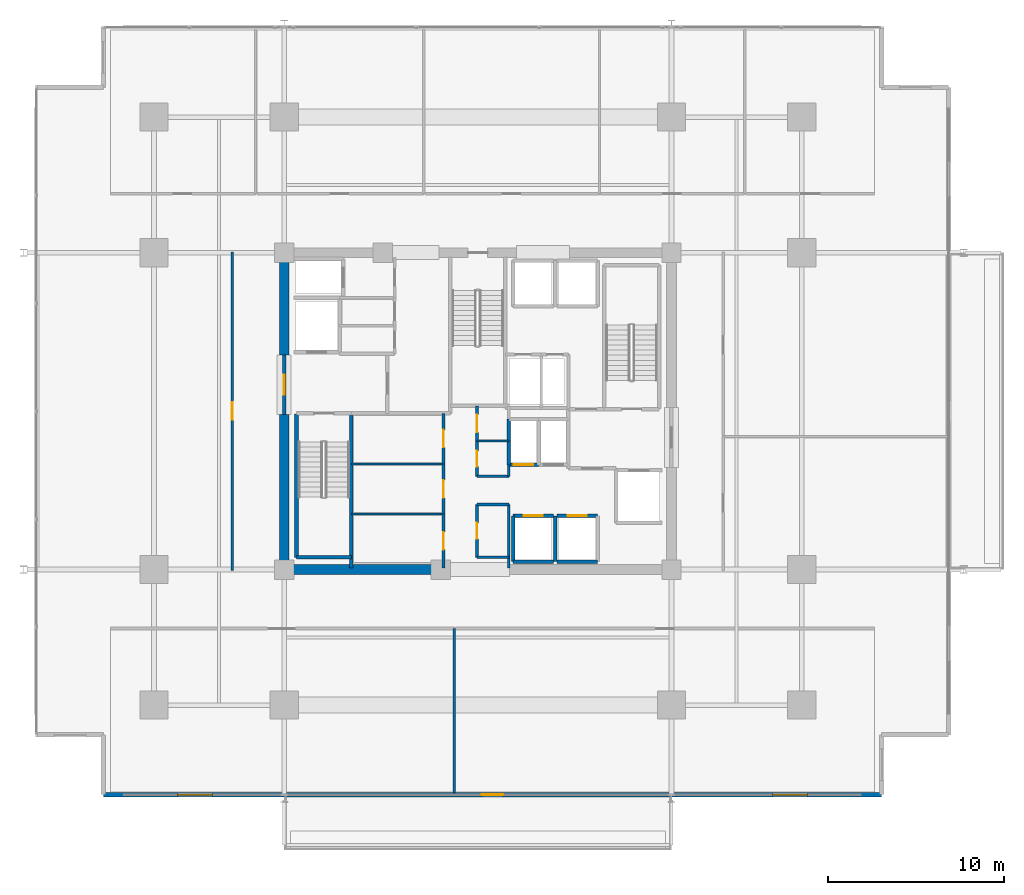
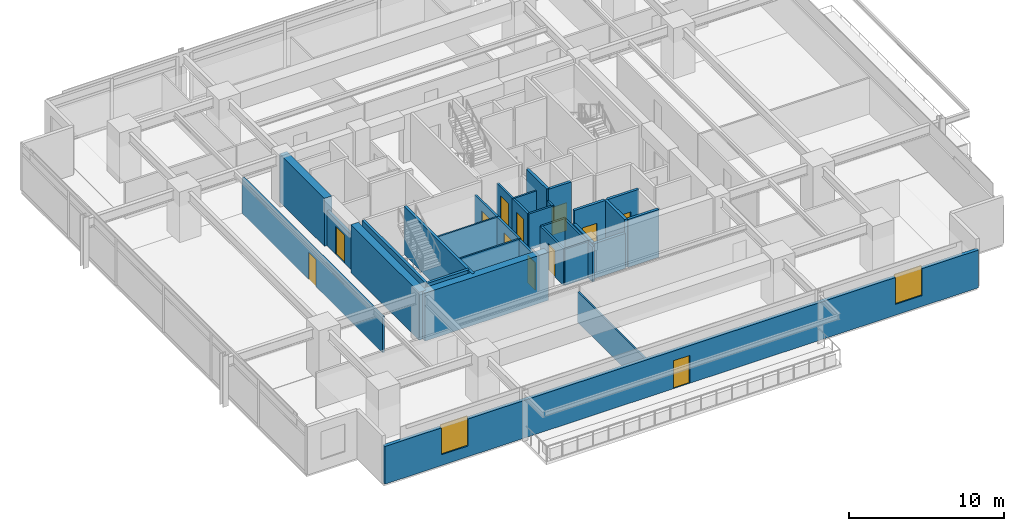
# One storey, part 13 of 21: 32 walls, 12 doors, 2 windows, 14 openings.
"""IFC4 building model written with IfcOpenShell, lengths in metres."""

from ifc_helpers import new_model, si_unit, direction, frame, frame_2d, origin, place, context, subcontext, project, spatial, rectangle, extrude, material, layer, layer_set, type_object, element, fill, save


model = new_model("IFC4")

# Units and contexts
model_context = context("Model", 3, precision=1e-05, world=origin(), true_north=direction((0.0, 1.0)))
body_context = subcontext(model_context, "Body", "Model", "MODEL_VIEW")
ifc_project = project(units=[si_unit("LENGTHUNIT", "METRE"), si_unit("AREAUNIT", "SQUARE_METRE"), si_unit("VOLUMEUNIT", "CUBIC_METRE"), si_unit("PLANEANGLEUNIT", "RADIAN"), si_unit("MASSUNIT", "GRAM", prefix="KILO")], contexts=[model_context])

# Site, building, storey
site_placement = place(None, origin())
site = spatial("IfcSite", under=ifc_project, at=site_placement, CompositionType="ELEMENT")
building_placement = place(site_placement, origin())
building = spatial("IfcBuilding", under=site, at=building_placement, Name="Kovane Verandah Tower", CompositionType="ELEMENT")
storey_placement = place(building_placement, frame((0.0, 0.0, 172.39990234375)))
storey = spatial("IfcBuildingStorey", under=building, at=storey_placement, Name="L40", CompositionType="ELEMENT", Elevation=172.39990234375)

# Walls
ifc_material_1 = material(Name="Fire-Rated Gypsum Stud Partition", Category="gypsum")
ifc_layer_1 = layer(ifc_material_1, 0.14990234375)
ifc_layer_set_1 = layer_set([ifc_layer_1], Name="Fire-Rated Gypsum Stud Partition")
wall_type_1 = type_object("IfcWallType", Name="WL-COR-150", PredefinedType="PARTITIONING", material=ifc_layer_set_1)
for number, where, z_axis, x_axis, name in (
    (1, (39.949951171875, 19.199951171875, 0.0), (0.0, 0.0, 1.0), (1.0, 0.0, 0.0), "L40 Central Core Strip South Wall"),
    (2, (39.949951171875, 22.199951171875, 0.0), (0.0, 0.0, 1.0), (1.0, 0.0, 0.0), "L40 Core Cross-Passage South Wall"),
    (3, (39.949951171875, 23.800048828125, 0.0), (0.0, 0.0, 1.0), (1.0, 0.0, 0.0), "L40 Core Cross-Passage North Wall"),
):
    element("IfcWall", number, at=place(storey_placement, frame(where, z_axis=z_axis, x_axis=x_axis)), inside=storey, type_object=wall_type_1, Name=name, PredefinedType="PARTITIONING", context=body_context, shape_type="SweptSolid", body=[
        extrude(rectangle(XDim=1.81005859375, YDim=0.14990234375, at=frame_2d((0.905029296875, 0.0))), origin(), (0.0, 0.0, 1.0), 2.85009765625),
    ])
wall_1_placement = place(storey_placement, frame((41.760009765625, 18.60009765625, 0.0), z_axis=(0.0, 0.0, 1.0), x_axis=(0.0, 1.0, 0.0)))
element("IfcWall", 4, at=wall_1_placement, inside=storey, type_object=wall_type_1, Name="L40 Central Core Strip Lower East Wall", PredefinedType="PARTITIONING", context=body_context, shape_type="SweptSolid", body=[
    extrude(rectangle(XDim=3.599853515625, YDim=0.14990234375, at=frame_2d((1.7998046875, 0.0))), origin(), (0.0, 0.0, 1.0), 2.755126953125),
])
wall_2_placement = place(storey_placement, frame((41.760009765625, 23.800048828125, 0.0), z_axis=(0.0, 0.0, 1.0), x_axis=(0.0, 1.0, 0.0)))
element("IfcWall", 5, at=wall_2_placement, inside=storey, type_object=wall_type_1, Name="L40 Central Core Strip Middle East Wall", PredefinedType="PARTITIONING", context=body_context, shape_type="SweptSolid", body=[
    extrude(rectangle(XDim=0.64990234375, YDim=0.14990234375, at=frame_2d((0.324951171875, 0.0))), origin(), (0.0, 0.0, 1.0), 2.85009765625),
])

# Wall, opening, door
wall_3_placement = place(storey_placement, frame((39.949951171875, 19.199951171875, 0.0), z_axis=(0.0, 0.0, 1.0), x_axis=(0.0, 1.0, 0.0)))
wall_3 = element("IfcWall", 6, at=wall_3_placement, inside=storey, type_object=wall_type_1, Name="L40 Male Toilet Partition", PredefinedType="PARTITIONING", context=body_context, shape_type="SweptSolid", body=[
    extrude(rectangle(XDim=3.0, YDim=0.14990234375, at=frame_2d((1.5, 0.0))), origin(), (0.0, 0.0, 1.0), 2.85009765625),
])
opening_1_placement = place(wall_3_placement, frame((1.050048828125, 0.0, 0.0)))
opening_1 = element("IfcOpeningElement", 7, at=opening_1_placement, cuts=wall_3, Name="Opening DR-L40-030", PredefinedType="OPENING", context=body_context, shape_type="SweptSolid", body=[
    extrude(rectangle(XDim=0.89990234375, YDim=2.10009765625, at=frame_2d((0.449951171875, 1.050048828125))), frame((0.0, 0.074951171875, 0.0), z_axis=(0.0, -1.0, 0.0), x_axis=(1.0, 0.0, 0.0)), (0.0, 0.0, 1.0), 0.14990234375),
])
ifc_material_2 = material(Name="Moisture-Resistant Laminate Washroom Door", Category="wood")
door_type_1 = type_object("IfcDoorType", Name="DR-WC-900", OperationType="SINGLE_SWING_LEFT", PredefinedType="DOOR", material=ifc_material_2)
door_1_placement = place(opening_1_placement, origin())
door_1 = element("IfcDoor", 8, at=door_1_placement, inside=storey, type_object=door_type_1, Name="L40 Male Toilet Door", OperationType="SINGLE_SWING_RIGHT", OverallHeight=2.10009765625, OverallWidth=0.89990234375, PredefinedType="DOOR", context=body_context, shape_type="SweptSolid", body=[
    extrude(rectangle(XDim=0.89990234375, YDim=2.10009765625, at=frame_2d((0.449951171875, 1.050048828125))), frame((0.0, 0.02490234375, 0.0), z_axis=(0.0, -1.0, 0.0), x_axis=(1.0, 0.0, 0.0)), (0.0, 0.0, 1.0), 0.050048828125),
])
fill(opening_1, door_1)

wall_4_placement = place(storey_placement, frame((39.949951171875, 23.800048828125, 0.0), z_axis=(0.0, 0.0, 1.0), x_axis=(0.0, 1.0, 0.0)))
wall_4 = element("IfcWall", 9, at=wall_4_placement, inside=storey, type_object=wall_type_1, Name="L40 Female Toilet Partition", PredefinedType="PARTITIONING", context=body_context, shape_type="SweptSolid", body=[
    extrude(rectangle(XDim=2.0, YDim=0.14990234375, at=frame_2d((1.0, 0.0))), origin(), (0.0, 0.0, 1.0), 2.85009765625),
])
opening_2_placement = place(wall_4_placement, frame((0.550048828125, 0.0, 0.0)))
opening_2 = element("IfcOpeningElement", 10, at=opening_2_placement, cuts=wall_4, Name="Opening DR-L40-029", PredefinedType="OPENING", context=body_context, shape_type="SweptSolid", body=[
    extrude(rectangle(XDim=0.89990234375, YDim=2.10009765625, at=frame_2d((0.449951171875, 1.050048828125))), frame((0.0, 0.074951171875, 0.0), z_axis=(0.0, -1.0, 0.0), x_axis=(1.0, 0.0, 0.0)), (0.0, 0.0, 1.0), 0.14990234375),
])
door_2_placement = place(opening_2_placement, origin())
door_2 = element("IfcDoor", 11, at=door_2_placement, inside=storey, type_object=door_type_1, Name="L40 Female Toilet Door", OperationType="SINGLE_SWING_LEFT", OverallHeight=2.10009765625, OverallWidth=0.89990234375, PredefinedType="DOOR", context=body_context, shape_type="SweptSolid", body=[
    extrude(rectangle(XDim=0.89990234375, YDim=2.10009765625, at=frame_2d((0.449951171875, 1.050048828125))), frame((0.0, 0.02490234375, 0.0), z_axis=(0.0, -1.0, 0.0), x_axis=(1.0, 0.0, 0.0)), (0.0, 0.0, 1.0), 0.050048828125),
])
fill(opening_2, door_2)

wall_5_placement = place(storey_placement, frame((39.949951171875, 25.800048828125, 0.0), z_axis=(0.0, 0.0, 1.0), x_axis=(0.0, 1.0, 0.0)))
wall_5 = element("IfcWall", 12, at=wall_5_placement, inside=storey, type_object=wall_type_1, Name="L40 Central First Aid and Wellness Room Partition", PredefinedType="PARTITIONING", context=body_context, shape_type="SweptSolid", body=[
    extrude(rectangle(XDim=2.0, YDim=0.14990234375, at=frame_2d((1.0, 0.0))), origin(), (0.0, 0.0, 1.0), 2.85009765625),
])
opening_3_placement = place(wall_5_placement, frame((0.5, 0.0, 0.0)))
opening_3 = element("IfcOpeningElement", 13, at=opening_3_placement, cuts=wall_5, Name="Opening DR-L40-027", PredefinedType="OPENING", context=body_context, shape_type="SweptSolid", body=[
    extrude(rectangle(XDim=1.0, YDim=2.14990234375, at=frame_2d((0.5, 1.074951171875))), frame((0.0, 0.074951171875, 0.0), z_axis=(0.0, -1.0, 0.0), x_axis=(1.0, 0.0, 0.0)), (0.0, 0.0, 1.0), 0.14990234375),
])
ifc_material_3 = material(Name="FSC Spotted-Gum Timber Fire-Rated Office Door", Category="wood")
door_type_2 = type_object("IfcDoorType", Name="DR-OFF-1000", OperationType="SINGLE_SWING_LEFT", PredefinedType="DOOR", material=ifc_material_3)
door_3_placement = place(opening_3_placement, origin())
door_3 = element("IfcDoor", 14, at=door_3_placement, inside=storey, type_object=door_type_2, Name="L40 Central First Aid and Wellness Room Door", OperationType="SINGLE_SWING_RIGHT", OverallHeight=2.14990234375, OverallWidth=1.0, PredefinedType="DOOR", context=body_context, shape_type="SweptSolid", body=[
    extrude(rectangle(XDim=1.0, YDim=2.14990234375, at=frame_2d((0.5, 1.074951171875))), frame((0.0, 0.02490234375, 0.0), z_axis=(0.0, -1.0, 0.0), x_axis=(1.0, 0.0, 0.0)), (0.0, 0.0, 1.0), 0.050048828125),
])
fill(opening_3, door_3)

wall_6_placement = place(storey_placement, frame((38.050048828125, 18.60009765625, 0.0), z_axis=(0.0, 0.0, 1.0), x_axis=(0.0, 1.0, 0.0)))
wall_6 = element("IfcWall", 15, at=wall_6_placement, inside=storey, type_object=wall_type_1, Name="L40 Project Archive Room Partition", PredefinedType="PARTITIONING", context=body_context, shape_type="SweptSolid", body=[
    extrude(rectangle(XDim=3.059814453125, YDim=0.14990234375, at=frame_2d((1.52978515625, 0.0))), origin(), (0.0, 0.0, 1.0), 2.755126953125),
])
opening_4_placement = place(wall_6_placement, frame((1.030029296875, 0.0, 0.0)))
opening_4 = element("IfcOpeningElement", 16, at=opening_4_placement, cuts=wall_6, Name="Opening DR-L40-015", PredefinedType="OPENING", context=body_context, shape_type="SweptSolid", body=[
    extrude(rectangle(XDim=1.0, YDim=2.14990234375, at=frame_2d((0.5, 1.074951171875))), frame((0.0, 0.074951171875, 0.0), z_axis=(0.0, -1.0, 0.0), x_axis=(1.0, 0.0, 0.0)), (0.0, 0.0, 1.0), 0.14990234375),
])
door_4_placement = place(opening_4_placement, origin())
door_4 = element("IfcDoor", 17, at=door_4_placement, inside=storey, type_object=door_type_2, Name="L40 Project Archive Room Door", OperationType="SINGLE_SWING_RIGHT", OverallHeight=2.14990234375, OverallWidth=1.0, PredefinedType="DOOR", context=body_context, shape_type="SweptSolid", body=[
    extrude(rectangle(XDim=1.0, YDim=2.14990234375, at=frame_2d((0.5, 1.074951171875))), frame((0.0, 0.02490234375, 0.0), z_axis=(0.0, -1.0, 0.0), x_axis=(1.0, 0.0, 0.0)), (0.0, 0.0, 1.0), 0.050048828125),
])
fill(opening_4, door_4)

wall_7_placement = place(storey_placement, frame((38.050048828125, 21.659912109375, 0.0), z_axis=(0.0, 0.0, 1.0), x_axis=(0.0, 1.0, 0.0)))
wall_7 = element("IfcWall", 18, at=wall_7_placement, inside=storey, type_object=wall_type_1, Name="L40 First Aid and Wellness Room Partition", PredefinedType="PARTITIONING", context=body_context, shape_type="SweptSolid", body=[
    extrude(rectangle(XDim=2.840087890625, YDim=0.14990234375, at=frame_2d((1.419921875, 0.0))), origin(), (0.0, 0.0, 1.0), 2.85009765625),
])
opening_5_placement = place(wall_7_placement, frame((0.919921875, 0.0, 0.0)))
opening_5 = element("IfcOpeningElement", 19, at=opening_5_placement, cuts=wall_7, Name="Opening DR-L40-016", PredefinedType="OPENING", context=body_context, shape_type="SweptSolid", body=[
    extrude(rectangle(XDim=1.0, YDim=2.14990234375, at=frame_2d((0.5, 1.074951171875))), frame((0.0, 0.074951171875, 0.0), z_axis=(0.0, -1.0, 0.0), x_axis=(1.0, 0.0, 0.0)), (0.0, 0.0, 1.0), 0.14990234375),
])
door_5_placement = place(opening_5_placement, origin())
door_5 = element("IfcDoor", 20, at=door_5_placement, inside=storey, type_object=door_type_2, Name="L40 First Aid and Wellness Room Door", OperationType="SINGLE_SWING_LEFT", OverallHeight=2.14990234375, OverallWidth=1.0, PredefinedType="DOOR", context=body_context, shape_type="SweptSolid", body=[
    extrude(rectangle(XDim=1.0, YDim=2.14990234375, at=frame_2d((0.5, 1.074951171875))), frame((0.0, 0.02490234375, 0.0), z_axis=(0.0, -1.0, 0.0), x_axis=(1.0, 0.0, 0.0)), (0.0, 0.0, 1.0), 0.050048828125),
])
fill(opening_5, door_5)

wall_8_placement = place(storey_placement, frame((38.050048828125, 24.5, 0.0), z_axis=(0.0, 0.0, 1.0), x_axis=(0.0, 1.0, 0.0)))
wall_8 = element("IfcWall", 21, at=wall_8_placement, inside=storey, type_object=wall_type_1, Name="L40 Tea and Copy Hub Partition", PredefinedType="PARTITIONING", context=body_context, shape_type="SweptSolid", body=[
    extrude(rectangle(XDim=2.8798828125, YDim=0.14990234375, at=frame_2d((1.43994140625, 0.0))), origin(), (0.0, 0.0, 1.0), 2.85009765625),
])
opening_6_placement = place(wall_8_placement, frame((0.93994140625, 0.0, 0.0)))
opening_6 = element("IfcOpeningElement", 22, at=opening_6_placement, cuts=wall_8, Name="Opening DR-L40-017", PredefinedType="OPENING", context=body_context, shape_type="SweptSolid", body=[
    extrude(rectangle(XDim=1.0, YDim=2.14990234375, at=frame_2d((0.5, 1.074951171875))), frame((0.0, 0.074951171875, 0.0), z_axis=(0.0, -1.0, 0.0), x_axis=(1.0, 0.0, 0.0)), (0.0, 0.0, 1.0), 0.14990234375),
])
door_6_placement = place(opening_6_placement, origin())
door_6 = element("IfcDoor", 23, at=door_6_placement, inside=storey, type_object=door_type_2, Name="L40 Tea and Copy Hub Door", OperationType="SINGLE_SWING_RIGHT", OverallHeight=2.14990234375, OverallWidth=1.0, PredefinedType="DOOR", context=body_context, shape_type="SweptSolid", body=[
    extrude(rectangle(XDim=1.0, YDim=2.14990234375, at=frame_2d((0.5, 1.074951171875))), frame((0.0, 0.02490234375, 0.0), z_axis=(0.0, -1.0, 0.0), x_axis=(1.0, 0.0, 0.0)), (0.0, 0.0, 1.0), 0.050048828125),
])
fill(opening_6, door_6)

wall_9_placement = place(storey_placement, frame((26.050048828125, 18.449951171875, 0.0), z_axis=(0.0, 0.0, 1.0), x_axis=(0.0, 1.0, 0.0)))
wall_9 = element("IfcWall", 24, at=wall_9_placement, inside=storey, type_object=wall_type_1, Name="L40 Focus Studio W1 Corridor Partition", PredefinedType="PARTITIONING", context=body_context, shape_type="SweptSolid", body=[
    extrude(rectangle(XDim=18.10009765625, YDim=0.14990234375, at=frame_2d((9.050048828125, 0.0))), origin(), (0.0, 0.0, 1.0), 2.85009765625),
])
opening_7_placement = place(wall_9_placement, frame((8.550048828125, 0.0, 0.0)))
opening_7 = element("IfcOpeningElement", 25, at=opening_7_placement, cuts=wall_9, Name="Opening DR-L40-031", PredefinedType="OPENING", context=body_context, shape_type="SweptSolid", body=[
    extrude(rectangle(XDim=1.0, YDim=2.14990234375, at=frame_2d((0.5, 1.074951171875))), frame((0.0, 0.074951171875, 0.0), z_axis=(0.0, -1.0, 0.0), x_axis=(1.0, 0.0, 0.0)), (0.0, 0.0, 1.0), 0.14990234375),
])
door_7_placement = place(opening_7_placement, origin())
door_7 = element("IfcDoor", 26, at=door_7_placement, inside=storey, type_object=door_type_2, Name="L40 Focus Studio W1 Entrance Door", OperationType="SINGLE_SWING_RIGHT", OverallHeight=2.14990234375, OverallWidth=1.0, PredefinedType="DOOR", context=body_context, shape_type="SweptSolid", body=[
    extrude(rectangle(XDim=1.0, YDim=2.14990234375, at=frame_2d((0.5, 1.074951171875))), frame((0.0, 0.02490234375, 0.0), z_axis=(0.0, -1.0, 0.0), x_axis=(1.0, 0.0, 0.0)), (0.0, 0.0, 1.0), 0.050048828125),
])
fill(opening_7, door_7)

# Walls
ifc_material_4 = material(Name="Concrete C60/75", Category="concrete")
ifc_layer_2 = layer(ifc_material_4, 0.550048828125)
ifc_layer_set_2 = layer_set([ifc_layer_2], Name="Concrete C60/75")
wall_type_2 = type_object("IfcWallType", Name="WL-CORE-550", PredefinedType="SHEAR", material=ifc_layer_set_2)
wall_10_placement = place(storey_placement, frame((29.0, 18.5, 0.0), z_axis=(0.0, 0.0, 1.0), x_axis=(1.0, 0.0, 0.0)))
element("IfcWall", 27, at=wall_10_placement, inside=storey, type_object=wall_type_2, Name="L40 Core Shear Wall CS-1", PredefinedType="SHEAR", context=body_context, shape_type="SweptSolid", body=[
    extrude(rectangle(XDim=9.199951171875, YDim=0.550048828125, at=frame_2d((4.60009765625, 0.0))), origin(), (0.0, 0.0, 1.0), 3.775146484375),
])
wall_11_placement = place(storey_placement, frame((29.0, 18.5, 0.0), z_axis=(0.0, 0.0, 1.0), x_axis=(0.0, 1.0, 0.0)))
element("IfcWall", 28, at=wall_11_placement, inside=storey, type_object=wall_type_2, Name="L40 Core Shear Wall CW-1", PredefinedType="SHEAR", context=body_context, shape_type="SweptSolid", body=[
    extrude(rectangle(XDim=8.800048828125, YDim=0.550048828125, at=frame_2d((4.39990234375, 0.0))), origin(), (0.0, 0.0, 1.0), 3.775146484375),
])
wall_12_placement = place(storey_placement, frame((29.0, 30.699951171875, 0.0), z_axis=(0.0, 0.0, 1.0), x_axis=(0.0, 1.0, 0.0)))
element("IfcWall", 29, at=wall_12_placement, inside=storey, type_object=wall_type_2, Name="L40 Core Shear Wall CW-2", PredefinedType="SHEAR", context=body_context, shape_type="SweptSolid", body=[
    extrude(rectangle(XDim=5.800048828125, YDim=0.550048828125, at=frame_2d((2.89990234375, 0.0))), origin(), (0.0, 0.0, 1.0), 3.775146484375),
])

# Wall, opening, door
ifc_material_5 = material(Name="Concrete C45/55 Fire Wall", Category="concrete")
ifc_layer_3 = layer(ifc_material_5, 0.199951171875)
ifc_layer_set_3 = layer_set([ifc_layer_3], Name="Concrete C45/55 Fire Wall")
wall_type_3 = type_object("IfcWallType", Name="WL-FFL-200", PredefinedType="PARTITIONING", material=ifc_layer_set_3)
wall_13_placement = place(storey_placement, frame((29.0, 27.300048828125, 0.0), z_axis=(0.0, 0.0, 1.0), x_axis=(0.0, 1.0, 0.0)))
wall_13 = element("IfcWall", 30, at=wall_13_placement, inside=storey, type_object=wall_type_3, Name="W-L40-FFLW-OUT", PredefinedType="PARTITIONING", context=body_context, shape_type="SweptSolid", body=[
    extrude(rectangle(XDim=3.39990234375, YDim=0.199951171875, at=frame_2d((1.699951171875, 0.0))), origin(), (0.0, 0.0, 1.0), 2.755126953125),
])
opening_8_placement = place(wall_13_placement, frame((1.125, 0.0, 0.0)))
opening_8 = element("IfcOpeningElement", 31, at=opening_8_placement, cuts=wall_13, Name="Opening DR-L40-007", PredefinedType="OPENING", context=body_context, shape_type="SweptSolid", body=[
    extrude(rectangle(XDim=1.14990234375, YDim=2.199951171875, at=frame_2d((0.574951171875, 1.10009765625))), frame((0.0, 0.10009765625, 0.0), z_axis=(0.0, -1.0, 0.0), x_axis=(1.0, 0.0, 0.0)), (0.0, 0.0, 1.0), 0.199951171875),
])
ifc_material_6 = material(Name="Smoke-Sealed Firefighting Lobby Door", Category="steel")
door_type_3 = type_object("IfcDoorType", Name="DR-FFL-1150", OperationType="SINGLE_SWING_LEFT", PredefinedType="DOOR", material=ifc_material_6)
door_8_placement = place(opening_8_placement, origin())
door_8 = element("IfcDoor", 32, at=door_8_placement, inside=storey, type_object=door_type_3, Name="L40 West Firefighting Lobby Corridor Door", OperationType="SINGLE_SWING_RIGHT", OverallHeight=2.199951171875, OverallWidth=1.14990234375, PredefinedType="DOOR", context=body_context, shape_type="SweptSolid", body=[
    extrude(rectangle(XDim=1.14990234375, YDim=2.199951171875, at=frame_2d((0.574951171875, 1.10009765625))), frame((0.0, 0.02490234375, 0.0), z_axis=(0.0, -1.0, 0.0), x_axis=(1.0, 0.0, 0.0)), (0.0, 0.0, 1.0), 0.050048828125),
])
fill(opening_8, door_8)

# Wall
ifc_material_7 = material(Name="Concrete C45/55 Lift Shaft Wall", Category="concrete")
ifc_layer_4 = layer(ifc_material_7, 0.199951171875)
ifc_layer_set_4 = layer_set([ifc_layer_4], Name="Concrete C45/55 Lift Shaft Wall")
wall_type_4 = type_object("IfcWallType", Name="WL-LIFT-200", PredefinedType="SOLIDWALL", material=ifc_layer_set_4)
wall_14_placement = place(storey_placement, frame((42.0, 18.949951171875, 0.0), z_axis=(0.0, 0.0, 1.0), x_axis=(1.0, 0.0, 0.0)))
element("IfcWall", 33, at=wall_14_placement, inside=storey, type_object=wall_type_4, Name="L40 Lift PL-M1 S Shaft Wall", PredefinedType="SOLIDWALL", context=body_context, shape_type="SweptSolid", body=[
    extrude(rectangle(XDim=2.300048828125, YDim=0.199951171875, at=frame_2d((1.14990234375, 0.0))), origin(), (0.0, 0.0, 1.0), 2.755126953125),
])

# Wall, opening, door
wall_15_placement = place(storey_placement, frame((44.300048828125, 21.550048828125, 0.0), z_axis=(0.0, 0.0, 1.0), x_axis=(-1.0, 0.0, 0.0)))
wall_15 = element("IfcWall", 34, at=wall_15_placement, inside=storey, type_object=wall_type_4, Name="L40 Lift PL-M1 N Shaft Wall", PredefinedType="SOLIDWALL", context=body_context, shape_type="SweptSolid", body=[
    extrude(rectangle(XDim=2.300048828125, YDim=0.199951171875, at=frame_2d((1.14990234375, 0.0))), origin(), (0.0, 0.0, 1.0), 3.775146484375),
])
opening_9_placement = place(wall_15_placement, frame((0.60009765625, 0.0, 0.0)))
opening_9 = element("IfcOpeningElement", 35, at=opening_9_placement, cuts=wall_15, Name="Opening LD-L40-004", PredefinedType="OPENING", context=body_context, shape_type="SweptSolid", body=[
    extrude(rectangle(XDim=1.10009765625, YDim=2.199951171875, at=frame_2d((0.550048828125, 1.10009765625))), frame((0.0, 0.10009765625, 0.0), z_axis=(0.0, -1.0, 0.0), x_axis=(1.0, 0.0, 0.0)), (0.0, 0.0, 1.0), 0.199951171875),
])
ifc_material_8 = material(Name="Brushed Stainless Steel Sliding Lift Landing Door", Category="steel")
door_type_4 = type_object("IfcDoorType", Name="DR-LIFT-1100", OperationType="SLIDING_TO_RIGHT", PredefinedType="DOOR", material=ifc_material_8)
door_9_placement = place(opening_9_placement, origin())
door_9 = element("IfcDoor", 36, at=door_9_placement, inside=storey, type_object=door_type_4, Name="L40 Lift PL-M1 Sliding Landing Door", OperationType="SLIDING_TO_RIGHT", OverallHeight=2.199951171875, OverallWidth=1.10009765625, PredefinedType="DOOR", context=body_context, shape_type="SweptSolid", body=[
    extrude(rectangle(XDim=1.10009765625, YDim=2.199951171875, at=frame_2d((0.550048828125, 1.10009765625))), frame((0.0, 0.02490234375, 0.0), z_axis=(0.0, -1.0, 0.0), x_axis=(1.0, 0.0, 0.0)), (0.0, 0.0, 1.0), 0.050048828125),
])
fill(opening_9, door_9)

# Walls
wall_16_placement = place(storey_placement, frame((42.0, 21.550048828125, 0.0), z_axis=(0.0, 0.0, 1.0), x_axis=(0.0, -1.0, 0.0)))
element("IfcWall", 37, at=wall_16_placement, inside=storey, type_object=wall_type_4, Name="L40 Lift PL-M1 W Shaft Wall", PredefinedType="SOLIDWALL", context=body_context, shape_type="SweptSolid", body=[
    extrude(rectangle(XDim=2.60009765625, YDim=0.199951171875, at=frame_2d((1.300048828125, 0.0))), origin(), (0.0, 0.0, 1.0), 2.755126953125),
])
wall_17_placement = place(storey_placement, frame((44.39990234375, 18.949951171875, 0.0), z_axis=(0.0, 0.0, 1.0), x_axis=(0.0, 1.0, 0.0)))
element("IfcWall", 38, at=wall_17_placement, inside=storey, type_object=wall_type_4, Name="L40 Lift PL-M1 and PL-M2 Shared Shaft Wall", PredefinedType="SOLIDWALL", context=body_context, shape_type="SweptSolid", body=[
    extrude(rectangle(XDim=2.60009765625, YDim=0.199951171875, at=frame_2d((1.300048828125, 0.0))), origin(), (0.0, 0.0, 1.0), 3.775146484375),
])
wall_18_placement = place(storey_placement, frame((44.5, 18.949951171875, 0.0), z_axis=(0.0, 0.0, 1.0), x_axis=(1.0, 0.0, 0.0)))
element("IfcWall", 39, at=wall_18_placement, inside=storey, type_object=wall_type_4, Name="L40 Lift PL-M2 S Shaft Wall", PredefinedType="SOLIDWALL", context=body_context, shape_type="SweptSolid", body=[
    extrude(rectangle(XDim=2.300048828125, YDim=0.199951171875, at=frame_2d((1.14990234375, 0.0))), origin(), (0.0, 0.0, 1.0), 3.775146484375),
])

# Wall, opening, door
wall_19_placement = place(storey_placement, frame((46.800048828125, 21.550048828125, 0.0), z_axis=(0.0, 0.0, 1.0), x_axis=(-1.0, 0.0, 0.0)))
wall_19 = element("IfcWall", 40, at=wall_19_placement, inside=storey, type_object=wall_type_4, Name="L40 Lift PL-M2 N Shaft Wall", PredefinedType="SOLIDWALL", context=body_context, shape_type="SweptSolid", body=[
    extrude(rectangle(XDim=2.300048828125, YDim=0.199951171875, at=frame_2d((1.14990234375, 0.0))), origin(), (0.0, 0.0, 1.0), 3.775146484375),
])
opening_10_placement = place(wall_19_placement, frame((0.60009765625, 0.0, 0.0)))
opening_10 = element("IfcOpeningElement", 41, at=opening_10_placement, cuts=wall_19, Name="Opening LD-L40-005", PredefinedType="OPENING", context=body_context, shape_type="SweptSolid", body=[
    extrude(rectangle(XDim=1.10009765625, YDim=2.199951171875, at=frame_2d((0.550048828125, 1.10009765625))), frame((0.0, 0.10009765625, 0.0), z_axis=(0.0, -1.0, 0.0), x_axis=(1.0, 0.0, 0.0)), (0.0, 0.0, 1.0), 0.199951171875),
])
door_10_placement = place(opening_10_placement, origin())
door_10 = element("IfcDoor", 42, at=door_10_placement, inside=storey, type_object=door_type_4, Name="L40 Lift PL-M2 Sliding Landing Door", OperationType="SLIDING_TO_RIGHT", OverallHeight=2.199951171875, OverallWidth=1.10009765625, PredefinedType="DOOR", context=body_context, shape_type="SweptSolid", body=[
    extrude(rectangle(XDim=1.10009765625, YDim=2.199951171875, at=frame_2d((0.550048828125, 1.10009765625))), frame((0.0, 0.02490234375, 0.0), z_axis=(0.0, -1.0, 0.0), x_axis=(1.0, 0.0, 0.0)), (0.0, 0.0, 1.0), 0.050048828125),
])
fill(opening_10, door_10)

wall_20_placement = place(storey_placement, frame((41.760009765625, 24.449951171875, 0.0), z_axis=(0.0, 0.0, 1.0), x_axis=(1.0, 0.0, 0.0)))
wall_20 = element("IfcWall", 43, at=wall_20_placement, inside=storey, type_object=wall_type_4, Name="L40 Lift PL-M3 S Shaft Wall", PredefinedType="SOLIDWALL", context=body_context, shape_type="SweptSolid", body=[
    extrude(rectangle(XDim=1.679931640625, YDim=0.199951171875, at=frame_2d((0.83984375, 0.0))), origin(), (0.0, 0.0, 1.0), 3.775146484375),
])
opening_11_placement = place(wall_20_placement, frame((0.2900390625, 0.0, 0.0)))
opening_11 = element("IfcOpeningElement", 44, at=opening_11_placement, cuts=wall_20, Name="Opening LD-L40-006", PredefinedType="OPENING", context=body_context, shape_type="SweptSolid", body=[
    extrude(rectangle(XDim=1.10009765625, YDim=2.199951171875, at=frame_2d((0.550048828125, 1.10009765625))), frame((0.0, 0.10009765625, 0.0), z_axis=(0.0, -1.0, 0.0), x_axis=(1.0, 0.0, 0.0)), (0.0, 0.0, 1.0), 0.199951171875),
])
door_11_placement = place(opening_11_placement, origin())
door_11 = element("IfcDoor", 45, at=door_11_placement, inside=storey, type_object=door_type_4, Name="L40 Lift PL-M3 Sliding Landing Door", OperationType="SLIDING_TO_RIGHT", OverallHeight=2.199951171875, OverallWidth=1.10009765625, PredefinedType="DOOR", context=body_context, shape_type="SweptSolid", body=[
    extrude(rectangle(XDim=1.10009765625, YDim=2.199951171875, at=frame_2d((0.550048828125, 1.10009765625))), frame((0.0, 0.02490234375, 0.0), z_axis=(0.0, -1.0, 0.0), x_axis=(1.0, 0.0, 0.0)), (0.0, 0.0, 1.0), 0.050048828125),
])
fill(opening_11, door_11)

# Walls
wall_21_placement = place(storey_placement, frame((41.760009765625, 27.050048828125, 0.0), z_axis=(0.0, 0.0, 1.0), x_axis=(0.0, -1.0, 0.0)))
element("IfcWall", 46, at=wall_21_placement, inside=storey, type_object=wall_type_4, Name="L40 Lift PL-M3 W Shaft Wall", PredefinedType="SOLIDWALL", context=body_context, shape_type="SweptSolid", body=[
    extrude(rectangle(XDim=2.60009765625, YDim=0.199951171875, at=frame_2d((1.300048828125, 0.0))), origin(), (0.0, 0.0, 1.0), 3.775146484375),
])
ifc_material_9 = material(Name="Acoustic Fire-Rated Gypsum Partition", Category="gypsum")
ifc_layer_5 = layer(ifc_material_9, 0.1201171875)
ifc_layer_set_5 = layer_set([ifc_layer_5], Name="Acoustic Fire-Rated Gypsum Partition")
wall_type_5 = type_object("IfcWallType", Name="WL-PART-120", PredefinedType="PARTITIONING", material=ifc_layer_set_5)
wall_22_placement = place(storey_placement, frame((39.949951171875, 25.800048828125, 0.0), z_axis=(0.0, 0.0, 1.0), x_axis=(1.0, 0.0, 0.0)))
element("IfcWall", 47, at=wall_22_placement, inside=storey, type_object=wall_type_5, Name="L40 Central Core Strip Upper Dividing Partition", PredefinedType="PARTITIONING", context=body_context, shape_type="SweptSolid", body=[
    extrude(rectangle(XDim=1.81005859375, YDim=0.1201171875, at=frame_2d((0.905029296875, 0.0))), origin(), (0.0, 0.0, 1.0), 2.85009765625),
])
for number, where, z_axis, x_axis, name in (
    (48, (32.820068359375, 21.659912109375, 0.0), (0.0, 0.0, 1.0), (1.0, 0.0, 0.0), "L40 Core Support Lower Dividing Partition"),
    (49, (32.820068359375, 24.5, 0.0), (0.0, 0.0, 1.0), (1.0, 0.0, 0.0), "L40 Core Support Upper Dividing Partition"),
):
    element("IfcWall", number, at=place(storey_placement, frame(where, z_axis=z_axis, x_axis=x_axis)), inside=storey, type_object=wall_type_5, Name=name, PredefinedType="PARTITIONING", context=body_context, shape_type="SweptSolid", body=[
        extrude(rectangle(XDim=5.22998046875, YDim=0.1201171875, at=frame_2d((2.614990234375, 0.0))), origin(), (0.0, 0.0, 1.0), 2.85009765625),
    ])
wall_23_placement = place(storey_placement, frame((38.663818359375, 5.810791015625, 0.0), z_axis=(0.0, 0.0, 1.0), x_axis=(0.0, 1.0, 0.0)))
element("IfcWall", 50, at=wall_23_placement, inside=storey, type_object=wall_type_5, Name="L40 Client Boardroom S1 Dividing Partition", PredefinedType="PARTITIONING", context=body_context, shape_type="SweptSolid", body=[
    extrude(rectangle(XDim=9.339111328125, YDim=0.1201171875, at=frame_2d((4.66943359375, 0.0))), origin(), (0.0, 0.0, 1.0), 2.405029296875),
])
ifc_material_10 = material(Name="Concrete C45/55", Category="concrete")
ifc_layer_6 = layer(ifc_material_10, 0.199951171875)
ifc_layer_set_6 = layer_set([ifc_layer_6], Name="Concrete C45/55")
wall_type_6 = type_object("IfcWallType", Name="WL-SHAFT-200", PredefinedType="SOLIDWALL", material=ifc_layer_set_6)
wall_24_placement = place(storey_placement, frame((29.699951171875, 19.199951171875, 0.0), z_axis=(0.0, 0.0, 1.0), x_axis=(0.0, 1.0, 0.0)))
element("IfcWall", 51, at=wall_24_placement, inside=storey, type_object=wall_type_6, Name="W-L40-ST01-W", PredefinedType="SOLIDWALL", context=body_context, shape_type="SweptSolid", body=[
    extrude(rectangle(XDim=8.150146484375, YDim=0.199951171875, at=frame_2d((4.0751953125, 0.0))), origin(), (0.0, 0.0, 1.0), 3.775146484375),
])
wall_25_placement = place(storey_placement, frame((29.699951171875, 19.199951171875, 0.0), z_axis=(0.0, 0.0, 1.0), x_axis=(1.0, 0.0, 0.0)))
element("IfcWall", 52, at=wall_25_placement, inside=storey, type_object=wall_type_6, Name="W-L40-ST01-S", PredefinedType="SOLIDWALL", context=body_context, shape_type="SweptSolid", body=[
    extrude(rectangle(XDim=3.1201171875, YDim=0.199951171875, at=frame_2d((1.56005859375, 0.0))), origin(), (0.0, 0.0, 1.0), 3.775146484375),
])
wall_26_placement = place(storey_placement, frame((32.820068359375, 18.60009765625, 0.0), z_axis=(0.0, 0.0, 1.0), x_axis=(0.0, 1.0, 0.0)))
element("IfcWall", 53, at=wall_26_placement, inside=storey, type_object=wall_type_6, Name="W-L40-ST01-E", PredefinedType="SOLIDWALL", context=body_context, shape_type="SweptSolid", body=[
    extrude(rectangle(XDim=8.77978515625, YDim=0.199951171875, at=frame_2d((4.389892578125, 0.0))), origin(), (0.0, 0.0, 1.0), 3.775146484375),
])

# Wall, openings, door, windows
ifc_material_11 = material(Name="Concrete C45/55 Insulated Spandrel Wall", Category="concrete")
ifc_layer_7 = layer(ifc_material_11, 0.260009765625)
ifc_layer_set_7 = layer_set([ifc_layer_7], Name="Concrete C45/55 Insulated Spandrel Wall")
wall_type_7 = type_object("IfcWallType", Name="WL-SPANDREL-260", PredefinedType="PARAPET", material=ifc_layer_set_7)
wall_27_placement = place(storey_placement, frame((18.7294921875, 5.710693359375, 0.0), z_axis=(0.0, 0.0, 1.0), x_axis=(1.0, 0.0, 0.0)))
wall_27 = element("IfcWall", 54, at=wall_27_placement, inside=storey, type_object=wall_type_7, Name="L40 S Verandah Access Facade Wall", PredefinedType="PARAPET", context=body_context, shape_type="SweptSolid", body=[
    extrude(rectangle(XDim=44.209228515625, YDim=0.260009765625, at=frame_2d((22.1044921875, 0.0))), origin(), (0.0, 0.0, 1.0), 2.97021484375),
])
opening_12_placement = place(wall_27_placement, frame((4.199951171875, 0.0, 0.85009765625)))
opening_12 = element("IfcOpeningElement", 55, at=opening_12_placement, cuts=wall_27, Name="Opening W-04", PredefinedType="OPENING", context=body_context, shape_type="SweptSolid", body=[
    extrude(rectangle(XDim=2.0, YDim=2.300048828125, at=frame_2d((1.0, 1.14990234375))), frame((0.0, 0.1298828125, 0.0), z_axis=(0.0, -1.0, 0.0), x_axis=(1.0, 0.0, 0.0)), (0.0, 0.0, 1.0), 0.260009765625),
])
opening_13_placement = place(wall_27_placement, frame((21.50439453125, 0.0, 0.0)))
opening_13 = element("IfcOpeningElement", 56, at=opening_13_placement, cuts=wall_27, Name="Opening DR-L40-002", PredefinedType="OPENING", context=body_context, shape_type="SweptSolid", body=[
    extrude(rectangle(XDim=1.199951171875, YDim=2.199951171875, at=frame_2d((0.60009765625, 1.10009765625))), frame((0.0, 0.1298828125, 0.0), z_axis=(0.0, -1.0, 0.0), x_axis=(1.0, 0.0, 0.0)), (0.0, 0.0, 1.0), 0.260009765625),
])
opening_14_placement = place(wall_27_placement, frame((38.009033203125, 0.0, 0.85009765625)))
opening_14 = element("IfcOpeningElement", 57, at=opening_14_placement, cuts=wall_27, Name="Opening W-04", PredefinedType="OPENING", context=body_context, shape_type="SweptSolid", body=[
    extrude(rectangle(XDim=2.0, YDim=2.300048828125, at=frame_2d((1.0, 1.14990234375))), frame((0.0, 0.1298828125, 0.0), z_axis=(0.0, -1.0, 0.0), x_axis=(1.0, 0.0, 0.0)), (0.0, 0.0, 1.0), 0.260009765625),
])
ifc_material_12 = material(Name="Cyclone-Rated Glazed Balcony Leaf Door", Category="aluminium")
door_type_5 = type_object("IfcDoorType", Name="DR-BAL-1200x2200", OperationType="SINGLE_SWING_LEFT", PredefinedType="DOOR", material=ifc_material_12)
door_12_placement = place(opening_13_placement, origin())
door_12 = element("IfcDoor", 58, at=door_12_placement, inside=storey, type_object=door_type_5, Name="L40 S Planted Balcony Access Door", OperationType="SINGLE_SWING_LEFT", OverallHeight=2.199951171875, OverallWidth=1.199951171875, PredefinedType="DOOR", context=body_context, shape_type="SweptSolid", body=[
    extrude(rectangle(XDim=1.199951171875, YDim=2.199951171875, at=frame_2d((0.60009765625, 1.10009765625))), frame((0.0, 0.02490234375, 0.0), z_axis=(0.0, -1.0, 0.0), x_axis=(1.0, 0.0, 0.0)), (0.0, 0.0, 1.0), 0.050048828125),
])
fill(opening_13, door_12)
ifc_material_13 = material(Name="Clear Low-E Laminated Double Glazing in Anodised Frame", Category="glass")
window_type = type_object("IfcWindowType", Name="WN-FIXED-2000x2300", PartitioningType="SINGLE_PANEL", PredefinedType="WINDOW", material=ifc_material_13)
window_1_placement = place(opening_12_placement, origin())
window_1 = element("IfcWindow", 59, at=window_1_placement, inside=storey, type_object=window_type, Name="L40 S Verandah View Window 1", OverallHeight=2.300048828125, OverallWidth=2.0, PartitioningType="SINGLE_PANEL", PredefinedType="WINDOW", context=body_context, shape_type="SweptSolid", body=[
    extrude(rectangle(XDim=2.0, YDim=2.300048828125, at=frame_2d((1.0, 1.14990234375))), frame((0.0, 0.030029296875, 0.0), z_axis=(0.0, -1.0, 0.0), x_axis=(1.0, 0.0, 0.0)), (0.0, 0.0, 1.0), 0.06005859375),
])
fill(opening_12, window_1)
window_2_placement = place(opening_14_placement, origin())
window_2 = element("IfcWindow", 60, at=window_2_placement, inside=storey, type_object=window_type, Name="L40 S Verandah View Window 2", OverallHeight=2.300048828125, OverallWidth=2.0, PartitioningType="SINGLE_PANEL", PredefinedType="WINDOW", context=body_context, shape_type="SweptSolid", body=[
    extrude(rectangle(XDim=2.0, YDim=2.300048828125, at=frame_2d((1.0, 1.14990234375))), frame((0.0, 0.030029296875, 0.0), z_axis=(0.0, -1.0, 0.0), x_axis=(1.0, 0.0, 0.0)), (0.0, 0.0, 1.0), 0.06005859375),
])
fill(opening_14, window_2)

save(model, "model.ifc")
